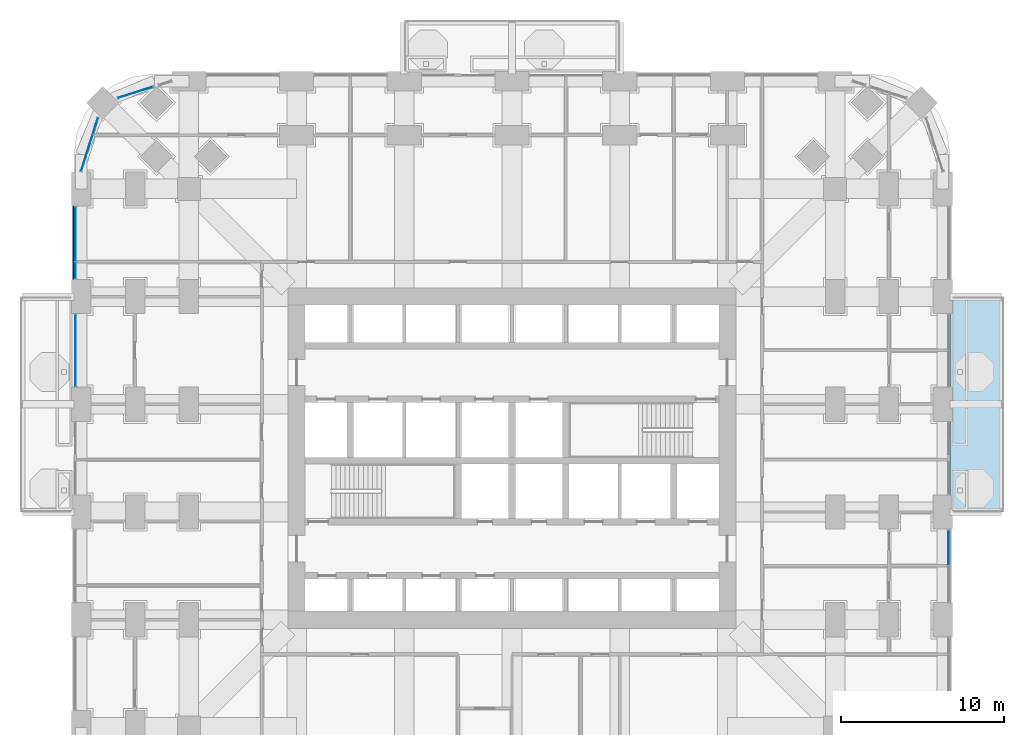
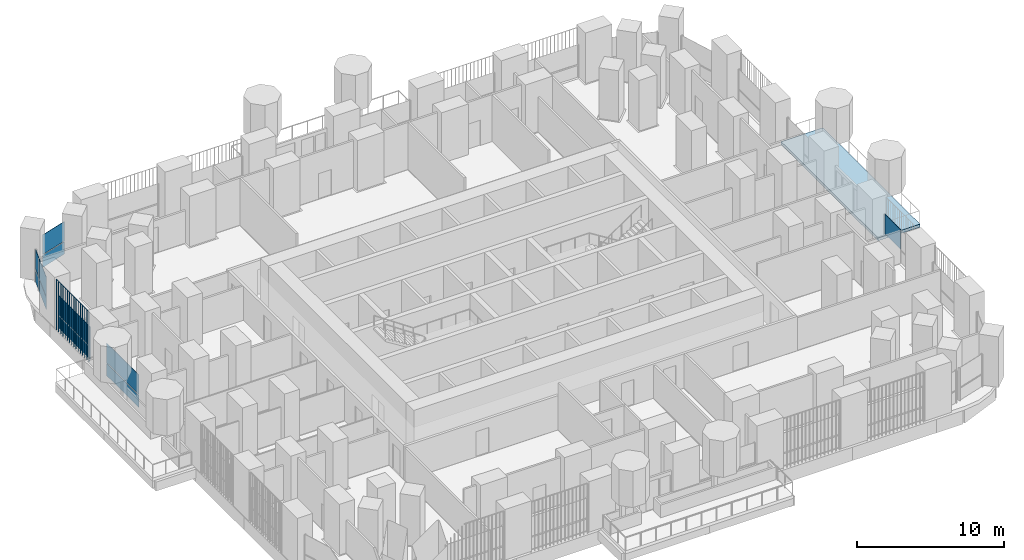
# One storey, part 14 of 26: 14 plates, 1 slab, 5 elements without a shape of their own.
"""IFC4 building model written with IfcOpenShell, lengths in metres."""

from ifc_helpers import new_model, si_unit, direction, frame, origin, origin_2d, place, context, subcontext, project, spatial, polyline, rectangle, outline, extrude, material, layer, layer_set, type_object, element, aggregate, save


model = new_model("IFC4")

# Units and contexts
model_context = context("Model", 3, precision=1e-05, world=origin(), true_north=direction((0.0, 1.0)))
body_context = subcontext(model_context, "Body", "Model", "MODEL_VIEW")
ifc_project = project(units=[si_unit("LENGTHUNIT", "METRE"), si_unit("AREAUNIT", "SQUARE_METRE"), si_unit("VOLUMEUNIT", "CUBIC_METRE"), si_unit("PLANEANGLEUNIT", "RADIAN"), si_unit("MASSUNIT", "GRAM", prefix="KILO")], contexts=[model_context])

# Site, building, storey
site_placement = place(None, origin())
site = spatial("IfcSite", under=ifc_project, at=site_placement, CompositionType="ELEMENT")
building_placement = place(site_placement, origin())
building = spatial("IfcBuilding", under=site, at=building_placement, Name="Cobogo Forest Laboratory Tower", CompositionType="ELEMENT")
storey_placement = place(building_placement, frame((0.0, 0.0, 50.699951171875)))
storey = spatial("IfcBuildingStorey", under=building, at=storey_placement, Name="L11", CompositionType="ELEMENT", Elevation=50.699951171875)

# Slab
ifc_material_1 = material(Name="Concrete HA-40 (C40/50)", Category="concrete")
ifc_layer_1 = layer(ifc_material_1, 0.25)
ifc_layer_set_1 = layer_set([ifc_layer_1], Name="Balcony slab 250")
slab_type = type_object("IfcSlabType", Name="Balcony slab 250", PredefinedType="FLOOR", material=ifc_layer_set_1)
slab_placement = place(storey_placement, frame((0.0, 0.0, -0.25)))
element("IfcSlab", 1, at=slab_placement, inside=storey, type_object=slab_type, Name="Balcony BAL-E1 L11", PredefinedType="FLOOR", context=body_context, shape_type="SweptSolid", body=[
    extrude(outline(polyline([(53.25, 19.800048828125), (56.550048828125, 19.800048828125), (56.550048828125, 33.0), (53.25, 33.0), (53.25, 19.800048828125)])), origin(), (0.0, 0.0, 1.0), 0.25),
])

# Curtain wall, plate
ifc_material_2 = material(Name="Aluminium curtain wall", Category="aluminium")
curtain_wall_type = type_object("IfcCurtainWallType", Name="CW-1 unitised curtain wall, clear glazing, laboratory floors zones A and B", PredefinedType="USERDEFINED", material=ifc_material_2)
curtain_wall_1_placement = place(storey_placement, origin())
curtain_wall_1 = element("IfcCurtainWall", 2, at=curtain_wall_1_placement, inside=storey, type_object=curtain_wall_type, Name="Curtain wall 11 L11", ObjectType="UNITISED CURTAIN WALL", PredefinedType="USERDEFINED")
ifc_material_3 = material(Name="Clear insulated glass", Category="glass")
ifc_layer_2 = layer(ifc_material_3, 0.028076171875)
ifc_layer_set_2 = layer_set([ifc_layer_2], Name="GP-1 clear insulated glass unit 28")
plate_type_1 = type_object("IfcPlateType", Name="GP-1 clear insulated glass unit 28", PredefinedType="CURTAIN_PANEL", material=ifc_layer_set_2)
plate_1_placement = place(storey_placement, frame((53.14990234375, 17.610107421875, 1.080078125), z_axis=(0.0, 0.0, 1.0), x_axis=(0.0, 1.0, 0.0)))
plate_1 = element("IfcPlate", 3, at=plate_1_placement, type_object=plate_type_1, Name="CW-1 panel 2.2", PredefinedType="CURTAIN_PANEL", context=body_context, shape_type="SweptSolid", body=[
    extrude(rectangle(XDim=2.159912109375, YDim=0.028076171875, at=origin_2d()), origin(), (0.0, 0.0, 1.0), 1.6201171875),
])
aggregate(curtain_wall_1, [plate_1])

# Curtain wall, plates
curtain_wall_2_placement = place(storey_placement, origin())
curtain_wall_2 = element("IfcCurtainWall", 4, at=curtain_wall_2_placement, inside=storey, type_object=curtain_wall_type, Name="Curtain wall 25 L11", ObjectType="UNITISED CURTAIN WALL", PredefinedType="USERDEFINED")
plate_2_placement = place(storey_placement, frame((3.31787109375, 45.513427734375, 0.0), z_axis=(0.0, 0.0, 1.0), x_axis=(-0.953581409645, -0.301135343623, 0.0)))
plate_2 = element("IfcPlate", 5, at=plate_2_placement, type_object=plate_type_1, Name="CW-1 panel 1.1", PredefinedType="CURTAIN_PANEL", context=body_context, shape_type="SweptSolid", body=[
    extrude(rectangle(XDim=2.203369140625, YDim=0.028076171875, at=origin_2d()), origin(), (0.0, 0.0, 1.0), 1.02001953125),
])
plate_3_placement = place(storey_placement, frame((3.31787109375, 45.513427734375, 1.080078125), z_axis=(0.0, 0.0, 1.0), x_axis=(-0.953581409645, -0.301135343623, 0.0)))
plate_3 = element("IfcPlate", 6, at=plate_3_placement, type_object=plate_type_1, Name="CW-1 panel 1.2", PredefinedType="CURTAIN_PANEL", context=body_context, shape_type="SweptSolid", body=[
    extrude(rectangle(XDim=2.203369140625, YDim=0.028076171875, at=origin_2d()), origin(), (0.0, 0.0, 1.0), 1.6201171875),
])
aggregate(curtain_wall_2, [plate_2, plate_3])

curtain_wall_3_placement = place(storey_placement, origin())
curtain_wall_3 = element("IfcCurtainWall", 7, at=curtain_wall_3_placement, inside=storey, type_object=curtain_wall_type, Name="Curtain wall 26 L11", ObjectType="UNITISED CURTAIN WALL", PredefinedType="USERDEFINED")
plate_4_placement = place(storey_placement, frame((0.863525390625, 43.442626953125, 0.0), z_axis=(0.0, 0.0, 1.0), x_axis=(-0.30113535792, -0.95358140513, 0.0)))
plate_4 = element("IfcPlate", 8, at=plate_4_placement, type_object=plate_type_1, Name="CW-1 panel 1.1", PredefinedType="CURTAIN_PANEL", context=body_context, shape_type="SweptSolid", body=[
    extrude(rectangle(XDim=1.027587890625, YDim=0.028076171875, at=origin_2d()), origin(), (0.0, 0.0, 1.0), 1.02001953125),
])
plate_5_placement = place(storey_placement, frame((0.863525390625, 43.442626953125, 1.080078125), z_axis=(0.0, 0.0, 1.0), x_axis=(-0.30113535792, -0.95358140513, 0.0)))
plate_5 = element("IfcPlate", 9, at=plate_5_placement, type_object=plate_type_1, Name="CW-1 panel 1.2", PredefinedType="CURTAIN_PANEL", context=body_context, shape_type="SweptSolid", body=[
    extrude(rectangle(XDim=1.027587890625, YDim=0.028076171875, at=origin_2d()), origin(), (0.0, 0.0, 1.0), 1.6201171875),
])
plate_6_placement = place(storey_placement, frame((0.34521484375, 41.80126953125, 0.0), z_axis=(0.0, 0.0, 1.0), x_axis=(-0.30113535792, -0.95358140513, 0.0)))
plate_6 = element("IfcPlate", 10, at=plate_6_placement, type_object=plate_type_1, Name="CW-1 panel 2.1", PredefinedType="CURTAIN_PANEL", context=body_context, shape_type="SweptSolid", body=[
    extrude(rectangle(XDim=2.294677734375, YDim=0.028076171875, at=origin_2d()), origin(), (0.0, 0.0, 1.0), 1.02001953125),
])
plate_7_placement = place(storey_placement, frame((0.34521484375, 41.80126953125, 1.080078125), z_axis=(0.0, 0.0, 1.0), x_axis=(-0.30113535792, -0.95358140513, 0.0)))
plate_7 = element("IfcPlate", 11, at=plate_7_placement, type_object=plate_type_1, Name="CW-1 panel 2.2", PredefinedType="CURTAIN_PANEL", context=body_context, shape_type="SweptSolid", body=[
    extrude(rectangle(XDim=2.294677734375, YDim=0.028076171875, at=origin_2d()), origin(), (0.0, 0.0, 1.0), 1.6201171875),
])
aggregate(curtain_wall_3, [plate_4, plate_5, plate_6, plate_7])

curtain_wall_4_placement = place(storey_placement, origin())
curtain_wall_4 = element("IfcCurtainWall", 12, at=curtain_wall_4_placement, inside=storey, type_object=curtain_wall_type, Name="Curtain wall 27 L11", ObjectType="UNITISED CURTAIN WALL", PredefinedType="USERDEFINED")
plate_8_placement = place(storey_placement, frame((-0.35009765625, 36.822509765625, 0.0), z_axis=(0.0, 0.0, 1.0), x_axis=(0.0, -1.0, 0.0)))
plate_8 = element("IfcPlate", 13, at=plate_8_placement, type_object=plate_type_1, Name="CW-1 panel 1.1", PredefinedType="CURTAIN_PANEL", context=body_context, shape_type="SweptSolid", body=[
    extrude(rectangle(XDim=3.3349609375, YDim=0.028076171875, at=origin_2d()), origin(), (0.0, 0.0, 1.0), 1.02001953125),
])
plate_9_placement = place(storey_placement, frame((-0.35009765625, 36.822509765625, 1.080078125), z_axis=(0.0, 0.0, 1.0), x_axis=(0.0, -1.0, 0.0)))
plate_9 = element("IfcPlate", 14, at=plate_9_placement, type_object=plate_type_1, Name="CW-1 panel 1.2", PredefinedType="CURTAIN_PANEL", context=body_context, shape_type="SweptSolid", body=[
    extrude(rectangle(XDim=3.3349609375, YDim=0.028076171875, at=origin_2d()), origin(), (0.0, 0.0, 1.0), 1.6201171875),
])
plate_10_placement = place(storey_placement, frame((-0.35009765625, 34.6025390625, 0.0), z_axis=(0.0, 0.0, 1.0), x_axis=(0.0, -1.0, 0.0)))
plate_10 = element("IfcPlate", 15, at=plate_10_placement, type_object=plate_type_1, Name="CW-1 panel 2.1", PredefinedType="CURTAIN_PANEL", context=body_context, shape_type="SweptSolid", body=[
    extrude(rectangle(XDim=0.985107421875, YDim=0.028076171875, at=origin_2d()), origin(), (0.0, 0.0, 1.0), 1.02001953125),
])
plate_11_placement = place(storey_placement, frame((-0.35009765625, 34.6025390625, 1.080078125), z_axis=(0.0, 0.0, 1.0), x_axis=(0.0, -1.0, 0.0)))
plate_11 = element("IfcPlate", 16, at=plate_11_placement, type_object=plate_type_1, Name="CW-1 panel 2.2", PredefinedType="CURTAIN_PANEL", context=body_context, shape_type="SweptSolid", body=[
    extrude(rectangle(XDim=0.985107421875, YDim=0.028076171875, at=origin_2d()), origin(), (0.0, 0.0, 1.0), 1.6201171875),
])
aggregate(curtain_wall_4, [plate_8, plate_9, plate_10, plate_11])

curtain_wall_5_placement = place(storey_placement, origin())
curtain_wall_5 = element("IfcCurtainWall", 17, at=curtain_wall_5_placement, inside=storey, type_object=curtain_wall_type, Name="Curtain wall 28 L11", ObjectType="UNITISED CURTAIN WALL", PredefinedType="USERDEFINED")
plate_12_placement = place(storey_placement, frame((-0.35009765625, 29.699951171875, 0.0), z_axis=(0.0, 0.0, 1.0), x_axis=(0.0, -1.0, 0.0)))
plate_12 = element("IfcPlate", 18, at=plate_12_placement, type_object=plate_type_1, Name="CW-1 panel 1.1", PredefinedType="CURTAIN_PANEL", context=body_context, shape_type="SweptSolid", body=[
    extrude(rectangle(XDim=4.3798828125, YDim=0.028076171875, at=origin_2d()), origin(), (0.0, 0.0, 1.0), 1.02001953125),
])
plate_13_placement = place(storey_placement, frame((-0.35009765625, 29.699951171875, 1.080078125), z_axis=(0.0, 0.0, 1.0), x_axis=(0.0, -1.0, 0.0)))
plate_13 = element("IfcPlate", 19, at=plate_13_placement, type_object=plate_type_1, Name="CW-1 panel 1.2", PredefinedType="CURTAIN_PANEL", context=body_context, shape_type="SweptSolid", body=[
    extrude(rectangle(XDim=4.3798828125, YDim=0.028076171875, at=origin_2d()), origin(), (0.0, 0.0, 1.0), 1.6201171875),
])
aggregate(curtain_wall_5, [plate_12, plate_13])

# Plate
ifc_material_4 = material(Name="Terracotta", Category="masonry")
plate_type_2 = type_object("IfcPlateType", Name="TB1 terracotta baguette screen", PredefinedType="USERDEFINED", material=ifc_material_4)
plate_14_placement = place(storey_placement, frame((-0.477783203125, 34.081298828125, -0.14990234375)))
element("IfcPlate", 20, at=plate_14_placement, inside=storey, type_object=plate_type_2, Name="Baguette screen W5 L11", ObjectType="BAGUETTE SCREEN", PredefinedType="USERDEFINED", context=body_context, shape_type="SweptSolid", body=[
    extrude(outline(polyline([(0.02880859375, 0.011962890625), (0.011962890625, 0.02880859375), (-0.011962890625, 0.02880859375), (-0.02880859375, 0.011962890625), (-0.02880859375, -0.011962890625), (-0.011962890625, -0.02880859375), (0.011962890625, -0.02880859375), (0.02880859375, -0.011962890625), (0.02880859375, 0.011962890625)])), frame((0.0, 0.0, 4.168701171875), z_axis=(0.0, 1.0, 0.0), x_axis=(-1.0, 0.0, 0.0)), (0.0, 0.0, 1.0), 4.4375),
    extrude(outline(polyline([(0.02880859375, 0.011962890625), (0.011962890625, 0.02880859375), (-0.011962890625, 0.02880859375), (-0.02880859375, 0.011962890625), (-0.02880859375, -0.011962890625), (-0.011962890625, -0.02880859375), (0.011962890625, -0.02880859375), (0.02880859375, -0.011962890625), (0.02880859375, 0.011962890625)])), origin(), (0.0, 0.0, 1.0), 4.137451171875),
    extrude(outline(polyline([(0.02880859375, 0.011962890625), (0.011962890625, 0.02880859375), (-0.011962890625, 0.02880859375), (-0.02880859375, 0.011962890625), (-0.02880859375, -0.011962890625), (-0.011962890625, -0.02880859375), (0.011962890625, -0.02880859375), (0.02880859375, -0.011962890625), (0.02880859375, 0.011962890625)])), frame((0.0, 0.2958984375, 0.0)), (0.0, 0.0, 1.0), 4.137451171875),
    extrude(outline(polyline([(0.02880859375, 0.011962890625), (0.011962890625, 0.02880859375), (-0.011962890625, 0.02880859375), (-0.02880859375, 0.011962890625), (-0.02880859375, -0.011962890625), (-0.011962890625, -0.02880859375), (0.011962890625, -0.02880859375), (0.02880859375, -0.011962890625), (0.02880859375, 0.011962890625)])), frame((0.0, 0.591552734375, 0.0)), (0.0, 0.0, 1.0), 4.137451171875),
    extrude(outline(polyline([(0.02880859375, 0.011962890625), (0.011962890625, 0.02880859375), (-0.011962890625, 0.02880859375), (-0.02880859375, 0.011962890625), (-0.02880859375, -0.011962890625), (-0.011962890625, -0.02880859375), (0.011962890625, -0.02880859375), (0.02880859375, -0.011962890625), (0.02880859375, 0.011962890625)])), frame((0.0, 0.887451171875, 0.0)), (0.0, 0.0, 1.0), 4.137451171875),
    extrude(outline(polyline([(0.02880859375, 0.011962890625), (0.011962890625, 0.02880859375), (-0.011962890625, 0.02880859375), (-0.02880859375, 0.011962890625), (-0.02880859375, -0.011962890625), (-0.011962890625, -0.02880859375), (0.011962890625, -0.02880859375), (0.02880859375, -0.011962890625), (0.02880859375, 0.011962890625)])), frame((0.0, 1.183349609375, 0.0)), (0.0, 0.0, 1.0), 4.137451171875),
    extrude(outline(polyline([(0.02880859375, 0.011962890625), (0.011962890625, 0.02880859375), (-0.011962890625, 0.02880859375), (-0.02880859375, 0.011962890625), (-0.02880859375, -0.011962890625), (-0.011962890625, -0.02880859375), (0.011962890625, -0.02880859375), (0.02880859375, -0.011962890625), (0.02880859375, 0.011962890625)])), frame((0.0, 1.479248046875, 0.0)), (0.0, 0.0, 1.0), 4.137451171875),
    extrude(outline(polyline([(0.02880859375, 0.011962890625), (0.011962890625, 0.02880859375), (-0.011962890625, 0.02880859375), (-0.02880859375, 0.011962890625), (-0.02880859375, -0.011962890625), (-0.011962890625, -0.02880859375), (0.011962890625, -0.02880859375), (0.02880859375, -0.011962890625), (0.02880859375, 0.011962890625)])), frame((0.0, 1.77490234375, 0.0)), (0.0, 0.0, 1.0), 4.137451171875),
    extrude(outline(polyline([(0.02880859375, 0.011962890625), (0.011962890625, 0.02880859375), (-0.011962890625, 0.02880859375), (-0.02880859375, 0.011962890625), (-0.02880859375, -0.011962890625), (-0.011962890625, -0.02880859375), (0.011962890625, -0.02880859375), (0.02880859375, -0.011962890625), (0.02880859375, 0.011962890625)])), frame((0.0, 2.07080078125, 0.0)), (0.0, 0.0, 1.0), 4.137451171875),
    extrude(outline(polyline([(0.02880859375, 0.011962890625), (0.011962890625, 0.02880859375), (-0.011962890625, 0.02880859375), (-0.02880859375, 0.011962890625), (-0.02880859375, -0.011962890625), (-0.011962890625, -0.02880859375), (0.011962890625, -0.02880859375), (0.02880859375, -0.011962890625), (0.02880859375, 0.011962890625)])), frame((0.0, 2.36669921875, 0.0)), (0.0, 0.0, 1.0), 4.137451171875),
    extrude(outline(polyline([(0.02880859375, 0.011962890625), (0.011962890625, 0.02880859375), (-0.011962890625, 0.02880859375), (-0.02880859375, 0.011962890625), (-0.02880859375, -0.011962890625), (-0.011962890625, -0.02880859375), (0.011962890625, -0.02880859375), (0.02880859375, -0.011962890625), (0.02880859375, 0.011962890625)])), frame((0.0, 2.66259765625, 0.0)), (0.0, 0.0, 1.0), 4.137451171875),
    extrude(outline(polyline([(0.02880859375, 0.011962890625), (0.011962890625, 0.02880859375), (-0.011962890625, 0.02880859375), (-0.02880859375, 0.011962890625), (-0.02880859375, -0.011962890625), (-0.011962890625, -0.02880859375), (0.011962890625, -0.02880859375), (0.02880859375, -0.011962890625), (0.02880859375, 0.011962890625)])), frame((0.0, 2.958251953125, 0.0)), (0.0, 0.0, 1.0), 4.137451171875),
    extrude(outline(polyline([(0.02880859375, 0.011962890625), (0.011962890625, 0.02880859375), (-0.011962890625, 0.02880859375), (-0.02880859375, 0.011962890625), (-0.02880859375, -0.011962890625), (-0.011962890625, -0.02880859375), (0.011962890625, -0.02880859375), (0.02880859375, -0.011962890625), (0.02880859375, 0.011962890625)])), frame((0.0, 3.254150390625, 0.0)), (0.0, 0.0, 1.0), 4.137451171875),
    extrude(outline(polyline([(0.02880859375, 0.011962890625), (0.011962890625, 0.02880859375), (-0.011962890625, 0.02880859375), (-0.02880859375, 0.011962890625), (-0.02880859375, -0.011962890625), (-0.011962890625, -0.02880859375), (0.011962890625, -0.02880859375), (0.02880859375, -0.011962890625), (0.02880859375, 0.011962890625)])), frame((0.0, 3.550048828125, 0.0)), (0.0, 0.0, 1.0), 4.137451171875),
    extrude(outline(polyline([(0.02880859375, 0.011962890625), (0.011962890625, 0.02880859375), (-0.011962890625, 0.02880859375), (-0.02880859375, 0.011962890625), (-0.02880859375, -0.011962890625), (-0.011962890625, -0.02880859375), (0.011962890625, -0.02880859375), (0.02880859375, -0.011962890625), (0.02880859375, 0.011962890625)])), frame((0.0, 3.845947265625, 0.0)), (0.0, 0.0, 1.0), 4.137451171875),
    extrude(outline(polyline([(0.02880859375, 0.011962890625), (0.011962890625, 0.02880859375), (-0.011962890625, 0.02880859375), (-0.02880859375, 0.011962890625), (-0.02880859375, -0.011962890625), (-0.011962890625, -0.02880859375), (0.011962890625, -0.02880859375), (0.02880859375, -0.011962890625), (0.02880859375, 0.011962890625)])), frame((0.0, 4.1416015625, 0.0)), (0.0, 0.0, 1.0), 4.137451171875),
    extrude(outline(polyline([(0.02880859375, 0.011962890625), (0.011962890625, 0.02880859375), (-0.011962890625, 0.02880859375), (-0.02880859375, 0.011962890625), (-0.02880859375, -0.011962890625), (-0.011962890625, -0.02880859375), (0.011962890625, -0.02880859375), (0.02880859375, -0.011962890625), (0.02880859375, 0.011962890625)])), frame((0.0, 4.4375, 0.0)), (0.0, 0.0, 1.0), 4.137451171875),
])

save(model, "model.ifc")
